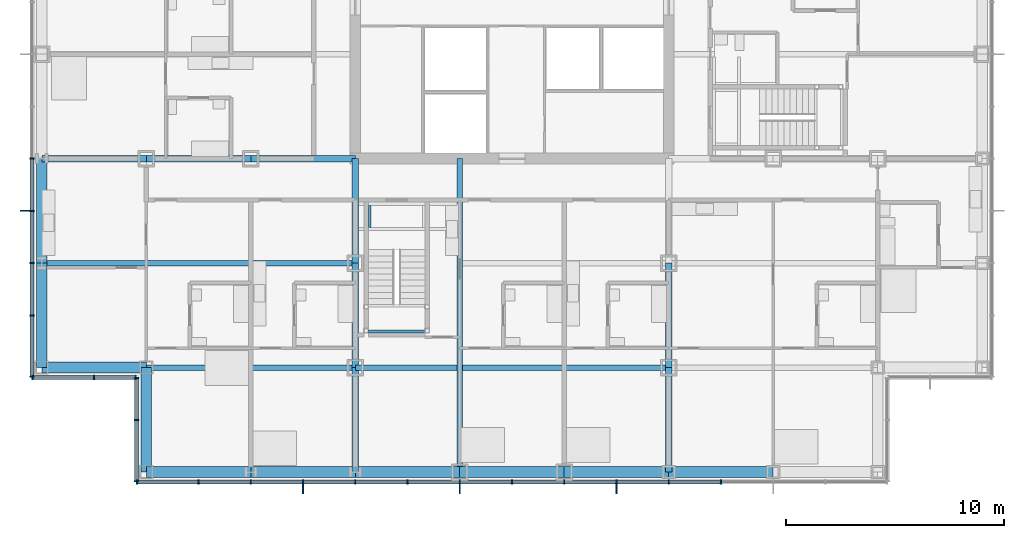
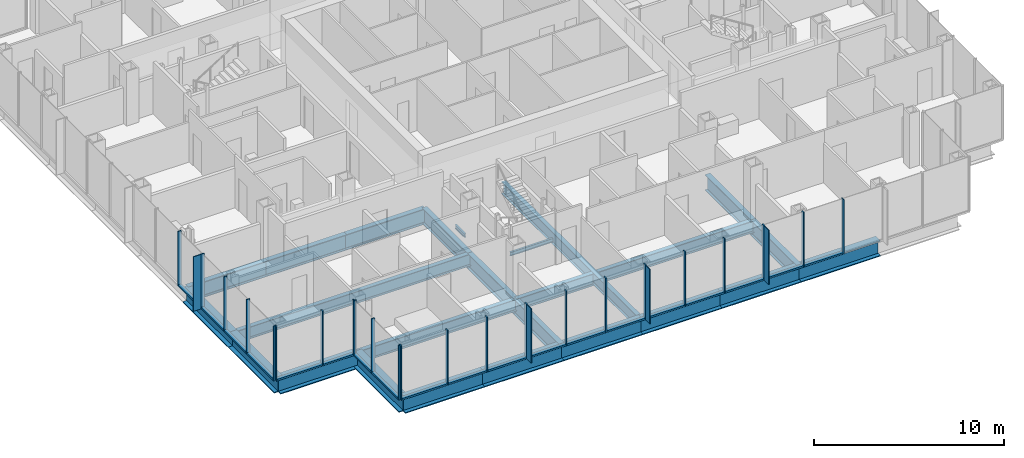
# One storey, part 6 of 21: 46 members, 25 beams, 4 elements without a shape of their own.
"""IFC4 building model written with IfcOpenShell, lengths in metres."""

import ifcopenshell
import ifcopenshell.guid

model = None  # the IFC model being written
_history = None  # IfcOwnerHistory: only IFC2X3 demands one
_inside = {}  # id of a spatial element -> (the spatial element, [elements in it])
_under = {}  # id of a project, library or spatial element -> (it, [spatial elements below it])
_declared = {}  # id of a project -> (the project, [libraries it declares])
_typed = {}  # id of a type object -> (the type object, [elements of that type])
_made_of = {}  # id of a material, layer set ... -> (it, [elements and type objects made of it])


def new_model(schema):
    """Start an empty IFC model of exactly this schema.

    Asked for "IFC4X3", IfcOpenShell would pick the latest addendum, in which some entities
    have other attributes; the version numbers below select the first issue.
    IFC2X3 requires an IfcOwnerHistory on every rooted entity: one is made here for all.
    """
    global model, _history
    if schema == "IFC4X3":
        model = ifcopenshell.file(schema_version=(4, 3, 0, 0))
    else:
        model = ifcopenshell.file(schema=schema)
    _inside.clear()
    _under.clear()
    _declared.clear()
    _typed.clear()
    _made_of.clear()
    _history = None
    if model.schema == "IFC2X3":
        org = make("IfcOrganization", Name="unknown")
        user = make(
            "IfcPersonAndOrganization",
            ThePerson=make("IfcPerson", FamilyName="unknown"),
            TheOrganization=org,
        )
        app = make(
            "IfcApplication",
            ApplicationDeveloper=org,
            Version="unknown",
            ApplicationFullName="unknown",
            ApplicationIdentifier="unknown",
        )
        _history = make(
            "IfcOwnerHistory",
            OwningUser=user,
            OwningApplication=app,
            ChangeAction="ADDED",
            CreationDate=0,
        )
    return model


def make(cls, **values):
    """One entity of the class cls with the attributes given. An attribute that is None is left unset."""
    return model.create_entity(
        cls, **{name: value for name, value in values.items() if value is not None}
    )


def rooted(cls, **values):
    """An entity with a GlobalId (a new one), such as an element, a storey or a relation."""
    return make(cls, GlobalId=ifcopenshell.guid.new(), OwnerHistory=_history, **values)


def si_unit(unit_type, name, prefix=None):
    """IfcSIUnit, for example si_unit("LENGTHUNIT", "METRE", prefix="MILLI")."""
    return make("IfcSIUnit", UnitType=unit_type, Prefix=prefix, Name=name)


def assignment(units):
    """IfcUnitAssignment: the units of a project."""
    return None if units is None else make("IfcUnitAssignment", Units=units)


def point(xyz):
    """IfcCartesianPoint."""
    return None if xyz is None else make("IfcCartesianPoint", Coordinates=xyz)


def direction(xyz):
    """IfcDirection."""
    return None if xyz is None else make("IfcDirection", DirectionRatios=xyz)


def frame(location, z_axis=None, x_axis=None):
    """IfcAxis2Placement3D, a coordinate frame: its origin and axes. An axis left out is left unset."""
    return make(
        "IfcAxis2Placement3D",
        Location=point(location),
        Axis=direction(z_axis),
        RefDirection=direction(x_axis),
    )


def frame_2d(location, x_axis=None):
    """IfcAxis2Placement2D, a coordinate frame in the plane: its origin and x axis."""
    return make(
        "IfcAxis2Placement2D", Location=point(location), RefDirection=direction(x_axis)
    )


def origin():
    """The frame at (0, 0, 0) with its axes left unset."""
    return frame((0.0, 0.0, 0.0))


def origin_2d():
    """The frame at (0, 0) in the plane with its x axis left unset."""
    return frame_2d((0.0, 0.0))


def place(relative_to, where):
    """IfcLocalPlacement: puts the frame where relative to a parent placement (None: the world)."""
    return make(
        "IfcLocalPlacement", PlacementRelTo=relative_to, RelativePlacement=where
    )


def context(
    kind, dimensions, precision=None, world=None, true_north=None, identifier=None
):
    """IfcGeometricRepresentationContext, for example the 3D "Model" context."""
    return make(
        "IfcGeometricRepresentationContext",
        ContextIdentifier=identifier,
        ContextType=kind,
        CoordinateSpaceDimension=dimensions,
        Precision=precision,
        WorldCoordinateSystem=world,
        TrueNorth=true_north,
    )


def subcontext(parent, identifier, kind, view, scale=None):
    """IfcGeometricRepresentationSubContext, for example "Body" below "Model"."""
    return make(
        "IfcGeometricRepresentationSubContext",
        ContextIdentifier=identifier,
        ContextType=kind,
        ParentContext=parent,
        TargetScale=scale,
        TargetView=view,
    )


def project(units=None, contexts=None):
    """IfcProject with its units and contexts."""
    return rooted(
        "IfcProject",
        Name="project",
        RepresentationContexts=contexts,
        UnitsInContext=assignment(units),
    )


def spatial(cls, under=None, at=None, **own):
    """A site, building, storey or space (cls), placed at a placement, below another one or the project."""
    s = rooted(cls, ObjectPlacement=at, **own)
    if under is not None:
        _under.setdefault(under.id(), (under, []))[1].append(s)
    return s


def profile(cls, at=None, kind="AREA", **sizes):
    """A parametric profile (cls). Its sizes go by their IFC names, for example OverallWidth=200.0."""
    return make(cls, ProfileType=kind, Position=at, **sizes)


def rectangle(**sizes):
    """IfcRectangleProfileDef."""
    return profile("IfcRectangleProfileDef", **sizes)


def i_section(**sizes):
    """IfcIShapeProfileDef."""
    return profile("IfcIShapeProfileDef", **sizes)


def extrude(swept, where, along, depth):
    """IfcExtrudedAreaSolid: the profile swept, set in the frame where, extruded along a direction by depth."""
    return make(
        "IfcExtrudedAreaSolid",
        SweptArea=swept,
        Position=where,
        ExtrudedDirection=direction(along),
        Depth=depth,
    )


def shape(context_of_items, identifier, shape_type, items):
    """IfcShapeRepresentation: the items that make up one representation, for example the "Body"."""
    return make(
        "IfcShapeRepresentation",
        ContextOfItems=context_of_items,
        RepresentationIdentifier=identifier,
        RepresentationType=shape_type,
        Items=items,
    )


def material(Name=None, Category=None):
    """IfcMaterial."""
    return make("IfcMaterial", Name=Name, Category=Category)


def material_profile(
    of_material, cross_section, Name=None, Category=None, Priority=None
):
    """IfcMaterialProfile: a cross section and its material."""
    return make(
        "IfcMaterialProfile",
        Name=Name,
        Material=of_material,
        Profile=cross_section,
        Priority=Priority,
        Category=Category,
    )


def profile_set(profiles, Name=None, composite=None):
    """IfcMaterialProfileSet."""
    return make(
        "IfcMaterialProfileSet",
        Name=Name,
        MaterialProfiles=profiles,
        CompositeProfile=composite,
    )


def made_of(thing, what):
    """Note that an element or type object is made of a material, layer set ...; save() writes the relation."""
    if what is not None:
        _made_of.setdefault(what.id(), (what, []))[1].append(thing)
    return thing


def type_object(cls, material=None, **own):
    """A type object (cls), such as IfcWallType, which elements share."""
    return made_of(rooted(cls, **own), material)


def element(
    cls,
    number,
    at=None,
    inside=None,
    cuts=None,
    type_object=None,
    material=None,
    context=None,
    identifier="Body",
    shape_type=None,
    held_by="IfcProductDefinitionShape",
    body=None,
    shapes=None,
    **own,
):
    """One element of the class cls, such as IfcWall. Its Tag is "e" and its number.

    at: its placement. inside: the storey or other place that contains it. cuts: it is an
    opening in that element (IfcRelVoidsElement). A single representation is given by context,
    identifier, shape_type and body (its items); several are given by shapes. held_by: the class
    of the entity that holds the representations. save() writes the other relations.
    """
    e = rooted(cls, Tag="e%d" % number, ObjectPlacement=at, **own)
    if body is not None:
        shapes = [shape(context, identifier, shape_type, body)]
    if shapes is not None:
        e.Representation = make(held_by, Representations=shapes)
    if inside is not None:
        _inside.setdefault(inside.id(), (inside, []))[1].append(e)
    if cuts is not None:
        rooted(
            "IfcRelVoidsElement", RelatingBuildingElement=cuts, RelatedOpeningElement=e
        )
    if type_object is not None:
        _typed.setdefault(type_object.id(), (type_object, []))[1].append(e)
    return made_of(e, material)


def aggregate(whole, parts):
    """IfcRelAggregates: a whole, such as a stair, and the parts it consists of."""
    return rooted("IfcRelAggregates", RelatingObject=whole, RelatedObjects=parts)


def save(model, path):
    """Write the relations noted so far, then the file.

    IfcRelAggregates (storeys below a building ...), IfcRelContainedInSpatialStructure (elements
    in a storey), IfcRelDefinesByType, IfcRelAssociatesMaterial and IfcRelDeclares: one each for
    every whole, place, type object, material and project.
    """
    for whole, parts in _under.values():
        aggregate(whole, parts)
    for where, things in _inside.values():
        rooted(
            "IfcRelContainedInSpatialStructure",
            RelatedElements=things,
            RelatingStructure=where,
        )
    for kind, things in _typed.values():
        rooted("IfcRelDefinesByType", RelatedObjects=things, RelatingType=kind)
    for what, things in _made_of.values():
        rooted("IfcRelAssociatesMaterial", RelatedObjects=things, RelatingMaterial=what)
    for by, libraries in _declared.values():
        rooted("IfcRelDeclares", RelatingContext=by, RelatedDefinitions=libraries)
    model.write(path)


model = new_model("IFC4")

# Units and contexts
model_context = context("Model", 3, precision=1e-05, world=origin(), true_north=direction((0.0, 1.0)))
body_context = subcontext(model_context, "Body", "Model", "MODEL_VIEW")
ifc_project = project(units=[si_unit("LENGTHUNIT", "METRE"), si_unit("AREAUNIT", "SQUARE_METRE"), si_unit("VOLUMEUNIT", "CUBIC_METRE"), si_unit("PLANEANGLEUNIT", "RADIAN"), si_unit("MASSUNIT", "GRAM", prefix="KILO")], contexts=[model_context])

# Site, building, storey
site_placement = place(None, origin())
site = spatial("IfcSite", under=ifc_project, at=site_placement, CompositionType="ELEMENT")
building_placement = place(site_placement, origin())
building = spatial("IfcBuilding", under=site, at=building_placement, Name="Kvirike Care Tower", CompositionType="ELEMENT")
storey_placement = place(building_placement, frame((0.0, 0.0, 30.5)))
storey = spatial("IfcBuildingStorey", under=building, at=storey_placement, Name="L07", CompositionType="ELEMENT", Elevation=30.5)

# Curtain wall, member
ifc_material_1 = material(Name="Anodised aluminium stick system", Category="aluminium")
curtain_wall_type = type_object("IfcCurtainWallType", Name="CW-A STICK CURTAIN WALL", PredefinedType="NOTDEFINED", material=ifc_material_1)
curtain_wall_1_placement = place(storey_placement, origin())
curtain_wall_1 = element("IfcCurtainWall", 1, at=curtain_wall_1_placement, inside=storey, type_object=curtain_wall_type, Name="Curtain wall L07 face 1", PredefinedType="NOTDEFINED")
ifc_material_2 = material(Name="Bronze anodised aluminium fin", Category="aluminium")
ifc_material_profile_1 = material_profile(ifc_material_2, rectangle(XDim=0.050048828125, YDim=0.449951171875, at=origin_2d()), Name="BRONZE FIN 450")
ifc_profile_set_1 = profile_set([ifc_material_profile_1], Name="Bronze anodised aluminium fin")
member_type_1 = type_object("IfcMemberType", Name="BRONZE FIN 450", PredefinedType="USERDEFINED", material=ifc_profile_set_1)
member_1_placement = place(storey_placement, frame((-0.77490234375, 26.39990234375, 0.0), z_axis=(0.0, 0.0, 1.0), x_axis=(0.0, -1.0, 0.0)))
member_1 = element("IfcMember", 2, at=member_1_placement, type_object=member_type_1, Name="Bronze fin L07 face 1.12", ObjectType="FIN", PredefinedType="USERDEFINED", context=body_context, shape_type="SweptSolid", body=[
    extrude(rectangle(XDim=0.050048828125, YDim=0.449951171875, at=origin_2d()), origin(), (0.0, 0.0, 1.0), 3.5),
])

# Curtain wall, members
curtain_wall_2_placement = place(storey_placement, origin())
curtain_wall_2 = element("IfcCurtainWall", 3, at=curtain_wall_2_placement, inside=storey, type_object=curtain_wall_type, Name="Curtain wall L07 face 4", PredefinedType="NOTDEFINED")
member_2_placement = place(storey_placement, frame((12.0, 13.625, 0.0), z_axis=(0.0, 0.0, 1.0), x_axis=(1.0, 0.0, 0.0)))
member_2 = element("IfcMember", 4, at=member_2_placement, type_object=member_type_1, Name="Bronze fin L07 face 4.4", ObjectType="FIN", PredefinedType="USERDEFINED", context=body_context, shape_type="SweptSolid", body=[
    extrude(rectangle(XDim=0.050048828125, YDim=0.449951171875, at=origin_2d()), origin(), (0.0, 0.0, 1.0), 3.5),
])
member_3_placement = place(storey_placement, frame((19.199951171875, 13.625, 0.0), z_axis=(0.0, 0.0, 1.0), x_axis=(1.0, 0.0, 0.0)))
member_3 = element("IfcMember", 5, at=member_3_placement, type_object=member_type_1, Name="Bronze fin L07 face 4.7", ObjectType="FIN", PredefinedType="USERDEFINED", context=body_context, shape_type="SweptSolid", body=[
    extrude(rectangle(XDim=0.050048828125, YDim=0.449951171875, at=origin_2d()), origin(), (0.0, 0.0, 1.0), 3.5),
])
member_4_placement = place(storey_placement, frame((26.39990234375, 13.625, 0.0), z_axis=(0.0, 0.0, 1.0), x_axis=(1.0, 0.0, 0.0)))
member_4 = element("IfcMember", 6, at=member_4_placement, type_object=member_type_1, Name="Bronze fin L07 face 4.10", ObjectType="FIN", PredefinedType="USERDEFINED", context=body_context, shape_type="SweptSolid", body=[
    extrude(rectangle(XDim=0.050048828125, YDim=0.449951171875, at=origin_2d()), origin(), (0.0, 0.0, 1.0), 3.5),
])

# Member
ifc_material_3 = material(Name="Bronze anodised aluminium mullion", Category="aluminium")
ifc_material_profile_2 = material_profile(ifc_material_3, rectangle(XDim=0.06494140625, YDim=0.199951171875, at=origin_2d()), Name="CW-A MULLION 65x200")
ifc_profile_set_2 = profile_set([ifc_material_profile_2], Name="Bronze anodised aluminium mullion")
member_type_2 = type_object("IfcMemberType", Name="CW-A MULLION 65x200", PredefinedType="MULLION", material=ifc_profile_set_2)
member_5_placement = place(storey_placement, frame((-0.449951171875, 28.800048828125, 0.0), z_axis=(0.0, 0.0, 1.0), x_axis=(0.0, -1.0, 0.0)))
member_5 = element("IfcMember", 7, at=member_5_placement, type_object=member_type_2, Name="CW-A mullion L07 face 1.11", PredefinedType="MULLION", context=body_context, shape_type="SweptSolid", body=[
    extrude(rectangle(XDim=0.06494140625, YDim=0.199951171875, at=origin_2d()), origin(), (0.0, 0.0, 1.0), 3.5),
])

member_6_placement = place(storey_placement, frame((-0.449951171875, 26.39990234375, 0.0), z_axis=(0.0, 0.0, 1.0), x_axis=(0.0, -1.0, 0.0)))
member_6 = element("IfcMember", 8, at=member_6_placement, type_object=member_type_2, Name="CW-A mullion L07 face 1.12", PredefinedType="MULLION", context=body_context, shape_type="SweptSolid", body=[
    extrude(rectangle(XDim=0.06494140625, YDim=0.199951171875, at=origin_2d()), origin(), (0.0, 0.0, 1.0), 3.5),
])

member_7_placement = place(storey_placement, frame((-0.449951171875, 24.0, 0.0), z_axis=(0.0, 0.0, 1.0), x_axis=(0.0, -1.0, 0.0)))
member_7 = element("IfcMember", 9, at=member_7_placement, type_object=member_type_2, Name="CW-A mullion L07 face 1.13", PredefinedType="MULLION", context=body_context, shape_type="SweptSolid", body=[
    extrude(rectangle(XDim=0.06494140625, YDim=0.199951171875, at=origin_2d()), origin(), (0.0, 0.0, 1.0), 3.5),
])

member_8_placement = place(storey_placement, frame((-0.449951171875, 21.60009765625, 0.0), z_axis=(0.0, 0.0, 1.0), x_axis=(0.0, -1.0, 0.0)))
member_8 = element("IfcMember", 10, at=member_8_placement, type_object=member_type_2, Name="CW-A mullion L07 face 1.14", PredefinedType="MULLION", context=body_context, shape_type="SweptSolid", body=[
    extrude(rectangle(XDim=0.06494140625, YDim=0.199951171875, at=origin_2d()), origin(), (0.0, 0.0, 1.0), 3.5),
])

member_9_placement = place(storey_placement, frame((-0.449951171875, 18.782470703125, 0.0), z_axis=(0.0, 0.0, 1.0), x_axis=(0.0, -1.0, 0.0)))
member_9 = element("IfcMember", 11, at=member_9_placement, type_object=member_type_2, Name="CW-A mullion L07 face 1.15", PredefinedType="MULLION", context=body_context, shape_type="SweptSolid", body=[
    extrude(rectangle(XDim=0.06494140625, YDim=0.199951171875, at=origin_2d()), origin(), (0.0, 0.0, 1.0), 3.5),
])

# Curtain wall, members
curtain_wall_3_placement = place(storey_placement, origin())
curtain_wall_3 = element("IfcCurtainWall", 12, at=curtain_wall_3_placement, inside=storey, type_object=curtain_wall_type, Name="Curtain wall L07 face 2", PredefinedType="NOTDEFINED")
member_10_placement = place(storey_placement, frame((-0.41748046875, 18.75, 0.0), z_axis=(0.0, 0.0, 1.0), x_axis=(1.0, 0.0, 0.0)))
member_10 = element("IfcMember", 13, at=member_10_placement, type_object=member_type_2, Name="CW-A mullion L07 face 2.1", PredefinedType="MULLION", context=body_context, shape_type="SweptSolid", body=[
    extrude(rectangle(XDim=0.06494140625, YDim=0.199951171875, at=origin_2d()), origin(), (0.0, 0.0, 1.0), 3.5),
])
member_11_placement = place(storey_placement, frame((2.39990234375, 18.75, 0.0), z_axis=(0.0, 0.0, 1.0), x_axis=(1.0, 0.0, 0.0)))
member_11 = element("IfcMember", 14, at=member_11_placement, type_object=member_type_2, Name="CW-A mullion L07 face 2.2", PredefinedType="MULLION", context=body_context, shape_type="SweptSolid", body=[
    extrude(rectangle(XDim=0.06494140625, YDim=0.199951171875, at=origin_2d()), origin(), (0.0, 0.0, 1.0), 3.5),
])
member_12_placement = place(storey_placement, frame((4.3173828125, 18.75, 0.0), z_axis=(0.0, 0.0, 1.0), x_axis=(1.0, 0.0, 0.0)))
member_12 = element("IfcMember", 15, at=member_12_placement, type_object=member_type_2, Name="CW-A mullion L07 face 2.3", PredefinedType="MULLION", context=body_context, shape_type="SweptSolid", body=[
    extrude(rectangle(XDim=0.06494140625, YDim=0.199951171875, at=origin_2d()), origin(), (0.0, 0.0, 1.0), 3.5),
])

curtain_wall_4_placement = place(storey_placement, origin())
curtain_wall_4 = element("IfcCurtainWall", 16, at=curtain_wall_4_placement, inside=storey, type_object=curtain_wall_type, Name="Curtain wall L07 face 3", PredefinedType="NOTDEFINED")
member_13_placement = place(storey_placement, frame((4.35009765625, 18.717529296875, 0.0), z_axis=(0.0, 0.0, 1.0), x_axis=(0.0, -1.0, 0.0)))
member_13 = element("IfcMember", 17, at=member_13_placement, type_object=member_type_2, Name="CW-A mullion L07 face 3.1", PredefinedType="MULLION", context=body_context, shape_type="SweptSolid", body=[
    extrude(rectangle(XDim=0.06494140625, YDim=0.199951171875, at=origin_2d()), origin(), (0.0, 0.0, 1.0), 3.5),
])
member_14_placement = place(storey_placement, frame((4.35009765625, 16.800048828125, 0.0), z_axis=(0.0, 0.0, 1.0), x_axis=(0.0, -1.0, 0.0)))
member_14 = element("IfcMember", 18, at=member_14_placement, type_object=member_type_2, Name="CW-A mullion L07 face 3.2", PredefinedType="MULLION", context=body_context, shape_type="SweptSolid", body=[
    extrude(rectangle(XDim=0.06494140625, YDim=0.199951171875, at=origin_2d()), origin(), (0.0, 0.0, 1.0), 3.5),
])
member_15_placement = place(storey_placement, frame((4.35009765625, 13.982421875, 0.0), z_axis=(0.0, 0.0, 1.0), x_axis=(0.0, -1.0, 0.0)))
member_15 = element("IfcMember", 19, at=member_15_placement, type_object=member_type_2, Name="CW-A mullion L07 face 3.3", PredefinedType="MULLION", context=body_context, shape_type="SweptSolid", body=[
    extrude(rectangle(XDim=0.06494140625, YDim=0.199951171875, at=origin_2d()), origin(), (0.0, 0.0, 1.0), 3.5),
])

# Member
member_16_placement = place(storey_placement, frame((4.382568359375, 13.949951171875, 0.0), z_axis=(0.0, 0.0, 1.0), x_axis=(1.0, 0.0, 0.0)))
member_16 = element("IfcMember", 20, at=member_16_placement, type_object=member_type_2, Name="CW-A mullion L07 face 4.1", PredefinedType="MULLION", context=body_context, shape_type="SweptSolid", body=[
    extrude(rectangle(XDim=0.06494140625, YDim=0.199951171875, at=origin_2d()), origin(), (0.0, 0.0, 1.0), 3.5),
])

member_17_placement = place(storey_placement, frame((7.199951171875, 13.949951171875, 0.0), z_axis=(0.0, 0.0, 1.0), x_axis=(1.0, 0.0, 0.0)))
member_17 = element("IfcMember", 21, at=member_17_placement, type_object=member_type_2, Name="CW-A mullion L07 face 4.2", PredefinedType="MULLION", context=body_context, shape_type="SweptSolid", body=[
    extrude(rectangle(XDim=0.06494140625, YDim=0.199951171875, at=origin_2d()), origin(), (0.0, 0.0, 1.0), 3.5),
])

member_18_placement = place(storey_placement, frame((9.60009765625, 13.949951171875, 0.0), z_axis=(0.0, 0.0, 1.0), x_axis=(1.0, 0.0, 0.0)))
member_18 = element("IfcMember", 22, at=member_18_placement, type_object=member_type_2, Name="CW-A mullion L07 face 4.3", PredefinedType="MULLION", context=body_context, shape_type="SweptSolid", body=[
    extrude(rectangle(XDim=0.06494140625, YDim=0.199951171875, at=origin_2d()), origin(), (0.0, 0.0, 1.0), 3.5),
])

member_19_placement = place(storey_placement, frame((12.0, 13.949951171875, 0.0), z_axis=(0.0, 0.0, 1.0), x_axis=(1.0, 0.0, 0.0)))
member_19 = element("IfcMember", 23, at=member_19_placement, type_object=member_type_2, Name="CW-A mullion L07 face 4.4", PredefinedType="MULLION", context=body_context, shape_type="SweptSolid", body=[
    extrude(rectangle(XDim=0.06494140625, YDim=0.199951171875, at=origin_2d()), origin(), (0.0, 0.0, 1.0), 3.5),
])

member_20_placement = place(storey_placement, frame((14.39990234375, 13.949951171875, 0.0), z_axis=(0.0, 0.0, 1.0), x_axis=(1.0, 0.0, 0.0)))
member_20 = element("IfcMember", 24, at=member_20_placement, type_object=member_type_2, Name="CW-A mullion L07 face 4.5", PredefinedType="MULLION", context=body_context, shape_type="SweptSolid", body=[
    extrude(rectangle(XDim=0.06494140625, YDim=0.199951171875, at=origin_2d()), origin(), (0.0, 0.0, 1.0), 3.5),
])

member_21_placement = place(storey_placement, frame((16.800048828125, 13.949951171875, 0.0), z_axis=(0.0, 0.0, 1.0), x_axis=(1.0, 0.0, 0.0)))
member_21 = element("IfcMember", 25, at=member_21_placement, type_object=member_type_2, Name="CW-A mullion L07 face 4.6", PredefinedType="MULLION", context=body_context, shape_type="SweptSolid", body=[
    extrude(rectangle(XDim=0.06494140625, YDim=0.199951171875, at=origin_2d()), origin(), (0.0, 0.0, 1.0), 3.5),
])

member_22_placement = place(storey_placement, frame((19.199951171875, 13.949951171875, 0.0), z_axis=(0.0, 0.0, 1.0), x_axis=(1.0, 0.0, 0.0)))
member_22 = element("IfcMember", 26, at=member_22_placement, type_object=member_type_2, Name="CW-A mullion L07 face 4.7", PredefinedType="MULLION", context=body_context, shape_type="SweptSolid", body=[
    extrude(rectangle(XDim=0.06494140625, YDim=0.199951171875, at=origin_2d()), origin(), (0.0, 0.0, 1.0), 3.5),
])

member_23_placement = place(storey_placement, frame((21.60009765625, 13.949951171875, 0.0), z_axis=(0.0, 0.0, 1.0), x_axis=(1.0, 0.0, 0.0)))
member_23 = element("IfcMember", 27, at=member_23_placement, type_object=member_type_2, Name="CW-A mullion L07 face 4.8", PredefinedType="MULLION", context=body_context, shape_type="SweptSolid", body=[
    extrude(rectangle(XDim=0.06494140625, YDim=0.199951171875, at=origin_2d()), origin(), (0.0, 0.0, 1.0), 3.5),
])

member_24_placement = place(storey_placement, frame((24.0, 13.949951171875, 0.0), z_axis=(0.0, 0.0, 1.0), x_axis=(1.0, 0.0, 0.0)))
member_24 = element("IfcMember", 28, at=member_24_placement, type_object=member_type_2, Name="CW-A mullion L07 face 4.9", PredefinedType="MULLION", context=body_context, shape_type="SweptSolid", body=[
    extrude(rectangle(XDim=0.06494140625, YDim=0.199951171875, at=origin_2d()), origin(), (0.0, 0.0, 1.0), 3.5),
])

member_25_placement = place(storey_placement, frame((26.39990234375, 13.949951171875, 0.0), z_axis=(0.0, 0.0, 1.0), x_axis=(1.0, 0.0, 0.0)))
member_25 = element("IfcMember", 29, at=member_25_placement, type_object=member_type_2, Name="CW-A mullion L07 face 4.10", PredefinedType="MULLION", context=body_context, shape_type="SweptSolid", body=[
    extrude(rectangle(XDim=0.06494140625, YDim=0.199951171875, at=origin_2d()), origin(), (0.0, 0.0, 1.0), 3.5),
])

member_26_placement = place(storey_placement, frame((28.800048828125, 13.949951171875, 0.0), z_axis=(0.0, 0.0, 1.0), x_axis=(1.0, 0.0, 0.0)))
member_26 = element("IfcMember", 30, at=member_26_placement, type_object=member_type_2, Name="CW-A mullion L07 face 4.11", PredefinedType="MULLION", context=body_context, shape_type="SweptSolid", body=[
    extrude(rectangle(XDim=0.06494140625, YDim=0.199951171875, at=origin_2d()), origin(), (0.0, 0.0, 1.0), 3.5),
])

member_27_placement = place(storey_placement, frame((31.199951171875, 13.949951171875, 0.0), z_axis=(0.0, 0.0, 1.0), x_axis=(1.0, 0.0, 0.0)))
member_27 = element("IfcMember", 31, at=member_27_placement, type_object=member_type_2, Name="CW-A mullion L07 face 4.12", PredefinedType="MULLION", context=body_context, shape_type="SweptSolid", body=[
    extrude(rectangle(XDim=0.06494140625, YDim=0.199951171875, at=origin_2d()), origin(), (0.0, 0.0, 1.0), 3.5),
])

ifc_material_4 = material(Name="Bronze anodised aluminium transom", Category="aluminium")
ifc_material_profile_3 = material_profile(ifc_material_4, rectangle(XDim=0.199951171875, YDim=0.10009765625, at=origin_2d()), Name="CW-A TRANSOM 200x100")
ifc_profile_set_3 = profile_set([ifc_material_profile_3], Name="Bronze anodised aluminium transom")
member_type_3 = type_object("IfcMemberType", Name="CW-A TRANSOM 200x100", PredefinedType="USERDEFINED", material=ifc_profile_set_3)
member_28_placement = place(storey_placement, frame((-0.449951171875, 28.767578125, 0.050048828125), z_axis=(0.0, -1.0, 0.0), x_axis=(1.0, 0.0, 0.0)))
member_28 = element("IfcMember", 32, at=member_28_placement, type_object=member_type_3, Name="CW-A sill transom L07 face 1.11", ObjectType="TRANSOM", PredefinedType="USERDEFINED", context=body_context, shape_type="SweptSolid", body=[
    extrude(rectangle(XDim=0.199951171875, YDim=0.10009765625, at=origin_2d()), origin(), (0.0, 0.0, 1.0), 2.3349609375),
])

member_29_placement = place(storey_placement, frame((-0.449951171875, 26.367431640625, 0.050048828125), z_axis=(0.0, -1.0, 0.0), x_axis=(1.0, 0.0, 0.0)))
member_29 = element("IfcMember", 33, at=member_29_placement, type_object=member_type_3, Name="CW-A sill transom L07 face 1.12", ObjectType="TRANSOM", PredefinedType="USERDEFINED", context=body_context, shape_type="SweptSolid", body=[
    extrude(rectangle(XDim=0.199951171875, YDim=0.10009765625, at=origin_2d()), origin(), (0.0, 0.0, 1.0), 2.3349609375),
])

member_30_placement = place(storey_placement, frame((-0.449951171875, 23.967529296875, 0.050048828125), z_axis=(0.0, -1.0, 0.0), x_axis=(1.0, 0.0, 0.0)))
member_30 = element("IfcMember", 34, at=member_30_placement, type_object=member_type_3, Name="CW-A sill transom L07 face 1.13", ObjectType="TRANSOM", PredefinedType="USERDEFINED", context=body_context, shape_type="SweptSolid", body=[
    extrude(rectangle(XDim=0.199951171875, YDim=0.10009765625, at=origin_2d()), origin(), (0.0, 0.0, 1.0), 2.3349609375),
])

member_31_placement = place(storey_placement, frame((-0.449951171875, 21.5673828125, 0.050048828125), z_axis=(0.0, -1.0, 0.0), x_axis=(1.0, 0.0, 0.0)))
member_31 = element("IfcMember", 35, at=member_31_placement, type_object=member_type_3, Name="CW-A sill transom L07 face 1.14", ObjectType="TRANSOM", PredefinedType="USERDEFINED", context=body_context, shape_type="SweptSolid", body=[
    extrude(rectangle(XDim=0.199951171875, YDim=0.10009765625, at=origin_2d()), origin(), (0.0, 0.0, 1.0), 2.75244140625),
])

aggregate(curtain_wall_1, [member_5, member_6, member_1, member_7, member_8, member_9, member_28, member_29, member_30, member_31])

member_32_placement = place(storey_placement, frame((-0.385009765625, 18.75, 0.050048828125), z_axis=(1.0, 0.0, 0.0), x_axis=(0.0, 1.0, 0.0)))
member_32 = element("IfcMember", 36, at=member_32_placement, type_object=member_type_3, Name="CW-A sill transom L07 face 2.1", ObjectType="TRANSOM", PredefinedType="USERDEFINED", context=body_context, shape_type="SweptSolid", body=[
    extrude(rectangle(XDim=0.199951171875, YDim=0.10009765625, at=origin_2d()), origin(), (0.0, 0.0, 1.0), 2.75244140625),
])

member_33_placement = place(storey_placement, frame((2.4326171875, 18.75, 0.050048828125), z_axis=(1.0, 0.0, 0.0), x_axis=(0.0, 1.0, 0.0)))
member_33 = element("IfcMember", 37, at=member_33_placement, type_object=member_type_3, Name="CW-A sill transom L07 face 2.2", ObjectType="TRANSOM", PredefinedType="USERDEFINED", context=body_context, shape_type="SweptSolid", body=[
    extrude(rectangle(XDim=0.199951171875, YDim=0.10009765625, at=origin_2d()), origin(), (0.0, 0.0, 1.0), 1.852294921875),
])

aggregate(curtain_wall_3, [member_10, member_11, member_12, member_32, member_33])

member_34_placement = place(storey_placement, frame((4.35009765625, 18.68505859375, 0.050048828125), z_axis=(0.0, -1.0, 0.0), x_axis=(1.0, 0.0, 0.0)))
member_34 = element("IfcMember", 38, at=member_34_placement, type_object=member_type_3, Name="CW-A sill transom L07 face 3.1", ObjectType="TRANSOM", PredefinedType="USERDEFINED", context=body_context, shape_type="SweptSolid", body=[
    extrude(rectangle(XDim=0.199951171875, YDim=0.10009765625, at=origin_2d()), origin(), (0.0, 0.0, 1.0), 1.8525390625),
])

member_35_placement = place(storey_placement, frame((4.35009765625, 16.767578125, 0.050048828125), z_axis=(0.0, -1.0, 0.0), x_axis=(1.0, 0.0, 0.0)))
member_35 = element("IfcMember", 39, at=member_35_placement, type_object=member_type_3, Name="CW-A sill transom L07 face 3.2", ObjectType="TRANSOM", PredefinedType="USERDEFINED", context=body_context, shape_type="SweptSolid", body=[
    extrude(rectangle(XDim=0.199951171875, YDim=0.10009765625, at=origin_2d()), origin(), (0.0, 0.0, 1.0), 2.752685546875),
])

aggregate(curtain_wall_4, [member_13, member_14, member_15, member_34, member_35])

member_36_placement = place(storey_placement, frame((4.4150390625, 13.949951171875, 0.050048828125), z_axis=(1.0, 0.0, 0.0), x_axis=(0.0, 1.0, 0.0)))
member_36 = element("IfcMember", 40, at=member_36_placement, type_object=member_type_3, Name="CW-A sill transom L07 face 4.1", ObjectType="TRANSOM", PredefinedType="USERDEFINED", context=body_context, shape_type="SweptSolid", body=[
    extrude(rectangle(XDim=0.199951171875, YDim=0.10009765625, at=origin_2d()), origin(), (0.0, 0.0, 1.0), 2.75244140625),
])

member_37_placement = place(storey_placement, frame((7.232421875, 13.949951171875, 0.050048828125), z_axis=(1.0, 0.0, 0.0), x_axis=(0.0, 1.0, 0.0)))
member_37 = element("IfcMember", 41, at=member_37_placement, type_object=member_type_3, Name="CW-A sill transom L07 face 4.2", ObjectType="TRANSOM", PredefinedType="USERDEFINED", context=body_context, shape_type="SweptSolid", body=[
    extrude(rectangle(XDim=0.199951171875, YDim=0.10009765625, at=origin_2d()), origin(), (0.0, 0.0, 1.0), 2.3349609375),
])

member_38_placement = place(storey_placement, frame((9.632568359375, 13.949951171875, 0.050048828125), z_axis=(1.0, 0.0, 0.0), x_axis=(0.0, 1.0, 0.0)))
member_38 = element("IfcMember", 42, at=member_38_placement, type_object=member_type_3, Name="CW-A sill transom L07 face 4.3", ObjectType="TRANSOM", PredefinedType="USERDEFINED", context=body_context, shape_type="SweptSolid", body=[
    extrude(rectangle(XDim=0.199951171875, YDim=0.10009765625, at=origin_2d()), origin(), (0.0, 0.0, 1.0), 2.3349609375),
])

member_39_placement = place(storey_placement, frame((12.032470703125, 13.949951171875, 0.050048828125), z_axis=(1.0, 0.0, 0.0), x_axis=(0.0, 1.0, 0.0)))
member_39 = element("IfcMember", 43, at=member_39_placement, type_object=member_type_3, Name="CW-A sill transom L07 face 4.4", ObjectType="TRANSOM", PredefinedType="USERDEFINED", context=body_context, shape_type="SweptSolid", body=[
    extrude(rectangle(XDim=0.199951171875, YDim=0.10009765625, at=origin_2d()), origin(), (0.0, 0.0, 1.0), 2.3349609375),
])

member_40_placement = place(storey_placement, frame((14.4326171875, 13.949951171875, 0.050048828125), z_axis=(1.0, 0.0, 0.0), x_axis=(0.0, 1.0, 0.0)))
member_40 = element("IfcMember", 44, at=member_40_placement, type_object=member_type_3, Name="CW-A sill transom L07 face 4.5", ObjectType="TRANSOM", PredefinedType="USERDEFINED", context=body_context, shape_type="SweptSolid", body=[
    extrude(rectangle(XDim=0.199951171875, YDim=0.10009765625, at=origin_2d()), origin(), (0.0, 0.0, 1.0), 2.3349609375),
])

member_41_placement = place(storey_placement, frame((16.83251953125, 13.949951171875, 0.050048828125), z_axis=(1.0, 0.0, 0.0), x_axis=(0.0, 1.0, 0.0)))
member_41 = element("IfcMember", 45, at=member_41_placement, type_object=member_type_3, Name="CW-A sill transom L07 face 4.6", ObjectType="TRANSOM", PredefinedType="USERDEFINED", context=body_context, shape_type="SweptSolid", body=[
    extrude(rectangle(XDim=0.199951171875, YDim=0.10009765625, at=origin_2d()), origin(), (0.0, 0.0, 1.0), 2.3349609375),
])

member_42_placement = place(storey_placement, frame((19.232421875, 13.949951171875, 0.050048828125), z_axis=(1.0, 0.0, 0.0), x_axis=(0.0, 1.0, 0.0)))
member_42 = element("IfcMember", 46, at=member_42_placement, type_object=member_type_3, Name="CW-A sill transom L07 face 4.7", ObjectType="TRANSOM", PredefinedType="USERDEFINED", context=body_context, shape_type="SweptSolid", body=[
    extrude(rectangle(XDim=0.199951171875, YDim=0.10009765625, at=origin_2d()), origin(), (0.0, 0.0, 1.0), 2.3349609375),
])

member_43_placement = place(storey_placement, frame((21.632568359375, 13.949951171875, 0.050048828125), z_axis=(1.0, 0.0, 0.0), x_axis=(0.0, 1.0, 0.0)))
member_43 = element("IfcMember", 47, at=member_43_placement, type_object=member_type_3, Name="CW-A sill transom L07 face 4.8", ObjectType="TRANSOM", PredefinedType="USERDEFINED", context=body_context, shape_type="SweptSolid", body=[
    extrude(rectangle(XDim=0.199951171875, YDim=0.10009765625, at=origin_2d()), origin(), (0.0, 0.0, 1.0), 2.3349609375),
])

member_44_placement = place(storey_placement, frame((24.032470703125, 13.949951171875, 0.050048828125), z_axis=(1.0, 0.0, 0.0), x_axis=(0.0, 1.0, 0.0)))
member_44 = element("IfcMember", 48, at=member_44_placement, type_object=member_type_3, Name="CW-A sill transom L07 face 4.9", ObjectType="TRANSOM", PredefinedType="USERDEFINED", context=body_context, shape_type="SweptSolid", body=[
    extrude(rectangle(XDim=0.199951171875, YDim=0.10009765625, at=origin_2d()), origin(), (0.0, 0.0, 1.0), 2.3349609375),
])

member_45_placement = place(storey_placement, frame((26.4326171875, 13.949951171875, 0.050048828125), z_axis=(1.0, 0.0, 0.0), x_axis=(0.0, 1.0, 0.0)))
member_45 = element("IfcMember", 49, at=member_45_placement, type_object=member_type_3, Name="CW-A sill transom L07 face 4.10", ObjectType="TRANSOM", PredefinedType="USERDEFINED", context=body_context, shape_type="SweptSolid", body=[
    extrude(rectangle(XDim=0.199951171875, YDim=0.10009765625, at=origin_2d()), origin(), (0.0, 0.0, 1.0), 2.3349609375),
])

member_46_placement = place(storey_placement, frame((28.83251953125, 13.949951171875, 0.050048828125), z_axis=(1.0, 0.0, 0.0), x_axis=(0.0, 1.0, 0.0)))
member_46 = element("IfcMember", 50, at=member_46_placement, type_object=member_type_3, Name="CW-A sill transom L07 face 4.11", ObjectType="TRANSOM", PredefinedType="USERDEFINED", context=body_context, shape_type="SweptSolid", body=[
    extrude(rectangle(XDim=0.199951171875, YDim=0.10009765625, at=origin_2d()), origin(), (0.0, 0.0, 1.0), 2.3349609375),
])

aggregate(curtain_wall_2, [member_16, member_17, member_18, member_19, member_2, member_20, member_21, member_22, member_3, member_23, member_24, member_25, member_4, member_26, member_27, member_36, member_37, member_38, member_39, member_40, member_41, member_42, member_43, member_44, member_45, member_46])

# Beams
ifc_material_5 = material(Name="Steel S355", Category="steel")
ifc_material_profile_4 = material_profile(ifc_material_5, i_section(OverallWidth=0.26806640625, OverallDepth=0.77001953125, WebThickness=0.015625, FlangeThickness=0.025390625, FilletRadius=0.01708984375, at=origin_2d()), Name="IPE 750x196")
ifc_profile_set_4 = profile_set([ifc_material_profile_4], Name="Steel S355")
beam_type_1 = type_object("IfcBeamType", Name="FLOOR BEAM IPE 750x196", PredefinedType="BEAM", material=ifc_profile_set_4)
beam_1_placement = place(storey_placement, frame((4.800048828125, 19.199951171875, -0.554931640625), z_axis=(1.0, 0.0, 0.0), x_axis=(0.0, 1.0, 0.0)))
element("IfcBeam", 51, at=beam_1_placement, inside=storey, type_object=beam_type_1, Name="Floor Beam E4-E6 L07", PredefinedType="BEAM", context=body_context, shape_type="SweptSolid", body=[
    extrude(i_section(OverallWidth=0.26806640625, OverallDepth=0.77001953125, WebThickness=0.015625, FlangeThickness=0.025390625, FilletRadius=0.01708984375, at=origin_2d()), origin(), (0.0, 0.0, 1.0), 9.599853515625),
])
beam_2_placement = place(storey_placement, frame((14.39990234375, 19.199951171875, -0.554931640625), z_axis=(1.0, 0.0, 0.0), x_axis=(0.0, 1.0, 0.0)))
element("IfcBeam", 52, at=beam_2_placement, inside=storey, type_object=beam_type_1, Name="Floor Beam E6-E7 L07", PredefinedType="BEAM", context=body_context, shape_type="SweptSolid", body=[
    extrude(i_section(OverallWidth=0.26806640625, OverallDepth=0.77001953125, WebThickness=0.015625, FlangeThickness=0.025390625, FilletRadius=0.01708984375, at=origin_2d()), origin(), (0.0, 0.0, 1.0), 4.666015625),
])
beam_3_placement = place(storey_placement, frame((19.333984375, 19.199951171875, -0.554931640625), z_axis=(1.0, 0.0, 0.0), x_axis=(0.0, 1.0, 0.0)))
element("IfcBeam", 53, at=beam_3_placement, inside=storey, type_object=beam_type_1, Name="Floor Beam E7-E9 L07", PredefinedType="BEAM", context=body_context, shape_type="SweptSolid", body=[
    extrude(i_section(OverallWidth=0.26806640625, OverallDepth=0.77001953125, WebThickness=0.015625, FlangeThickness=0.025390625, FilletRadius=0.01708984375, at=origin_2d()), origin(), (0.0, 0.0, 1.0), 9.466064453125),
])
beam_4_placement = place(storey_placement, frame((0.0, 24.0, -0.554931640625), z_axis=(1.0, 0.0, 0.0), x_axis=(0.0, 1.0, 0.0)))
element("IfcBeam", 54, at=beam_4_placement, inside=storey, type_object=beam_type_1, Name="Floor Beam F3-F6 L07", PredefinedType="BEAM", context=body_context, shape_type="SweptSolid", body=[
    extrude(i_section(OverallWidth=0.26806640625, OverallDepth=0.77001953125, WebThickness=0.015625, FlangeThickness=0.025390625, FilletRadius=0.01708984375, at=origin_2d()), origin(), (0.0, 0.0, 1.0), 14.39990234375),
])
beam_5_placement = place(storey_placement, frame((19.199951171875, 14.39990234375, -0.554931640625), z_axis=(0.0, 1.0, 0.0), x_axis=(-1.0, 0.0, 0.0)))
element("IfcBeam", 55, at=beam_5_placement, inside=storey, type_object=beam_type_1, Name="Floor Beam D7-G7 L07", PredefinedType="BEAM", context=body_context, shape_type="SweptSolid", body=[
    extrude(i_section(OverallWidth=0.26806640625, OverallDepth=0.77001953125, WebThickness=0.015625, FlangeThickness=0.025390625, FilletRadius=0.01708984375, at=origin_2d()), origin(), (0.0, 0.0, 1.0), 14.400146484375),
])
ifc_material_6 = material(Name="Steel S355", Category="steel")
ifc_material_profile_5 = material_profile(ifc_material_6, i_section(OverallWidth=0.300048828125, OverallDepth=1.0, WebThickness=0.01904296875, FlangeThickness=0.035888671875, FilletRadius=0.030029296875, at=origin_2d()), Name="HE 1000 B")
ifc_profile_set_5 = profile_set([ifc_material_profile_5], Name="Steel S355")
beam_type_2 = type_object("IfcBeamType", Name="FRAME BEAM HE 1000 B", PredefinedType="BEAM", material=ifc_profile_set_5)
for number, where, z_axis, x_axis, name in (
    (56, (0.0, 28.800048828125, -0.669921875), (1.0, 0.0, 0.0), (0.0, 1.0, 0.0), "Frame Beam G3-G4 L07"),
    (57, (4.800048828125, 28.800048828125, -0.669921875), (1.0, 0.0, 0.0), (0.0, 1.0, 0.0), "Frame Beam G4-G5 L07"),
):
    element("IfcBeam", number, at=place(storey_placement, frame(where, z_axis=z_axis, x_axis=x_axis)), inside=storey, type_object=beam_type_2, Name=name, PredefinedType="BEAM", context=body_context, shape_type="SweptSolid", body=[
        extrude(i_section(OverallWidth=0.300048828125, OverallDepth=1.0, WebThickness=0.01904296875, FlangeThickness=0.035888671875, FilletRadius=0.030029296875, at=origin_2d()), origin(), (0.0, 0.0, 1.0), 4.800048828125),
    ])
beam_6_placement = place(storey_placement, frame((9.60009765625, 28.800048828125, -0.669921875), z_axis=(1.0, 0.0, 0.0), x_axis=(0.0, 1.0, 0.0)))
element("IfcBeam", 58, at=beam_6_placement, inside=storey, type_object=beam_type_2, Name="Frame Beam G5-G6 L07", PredefinedType="BEAM", context=body_context, shape_type="SweptSolid", body=[
    extrude(i_section(OverallWidth=0.300048828125, OverallDepth=1.0, WebThickness=0.01904296875, FlangeThickness=0.035888671875, FilletRadius=0.030029296875, at=origin_2d()), origin(), (0.0, 0.0, 1.0), 4.7998046875),
])
for number, where, z_axis, x_axis, name in (
    (59, (14.39990234375, 14.39990234375, -0.669921875), (0.0, 1.0, 0.0), (-1.0, 0.0, 0.0), "Frame Beam D6-E6 L07"),
    (60, (14.39990234375, 19.199951171875, -0.669921875), (0.0, 1.0, 0.0), (-1.0, 0.0, 0.0), "Frame Beam E6-F6 L07"),
    (61, (14.39990234375, 24.0, -0.669921875), (0.0, 1.0, 0.0), (-1.0, 0.0, 0.0), "Frame Beam F6-G6 L07"),
    (62, (28.800048828125, 14.39990234375, -0.669921875), (0.0, 1.0, 0.0), (-1.0, 0.0, 0.0), "Frame Beam D9-E9 L07"),
    (63, (28.800048828125, 19.199951171875, -0.669921875), (0.0, 1.0, 0.0), (-1.0, 0.0, 0.0), "Frame Beam E9-F9 L07"),
):
    element("IfcBeam", number, at=place(storey_placement, frame(where, z_axis=z_axis, x_axis=x_axis)), inside=storey, type_object=beam_type_2, Name=name, PredefinedType="BEAM", context=body_context, shape_type="SweptSolid", body=[
        extrude(i_section(OverallWidth=0.300048828125, OverallDepth=1.0, WebThickness=0.01904296875, FlangeThickness=0.035888671875, FilletRadius=0.030029296875, at=origin_2d()), origin(), (0.0, 0.0, 1.0), 4.800048828125),
    ])
ifc_material_7 = material(Name="Steel S355", Category="steel")
ifc_material_profile_6 = material_profile(ifc_material_7, i_section(OverallWidth=0.5, OverallDepth=1.0, WebThickness=0.030029296875, FlangeThickness=0.06005859375, at=origin_2d()), Name="PG 1000x500x30x60")
ifc_profile_set_6 = profile_set([ifc_material_profile_6], Name="Steel S355")
beam_type_3 = type_object("IfcBeamType", Name="SPANDREL PG 1000x500x30x60", PredefinedType="SPANDREL", material=ifc_profile_set_6)
beam_7_placement = place(storey_placement, frame((4.800048828125, 14.39990234375, -0.669921875), z_axis=(1.0, 0.0, 0.0), x_axis=(0.0, 1.0, 0.0)))
element("IfcBeam", 64, at=beam_7_placement, inside=storey, type_object=beam_type_3, Name="Spandrel D4-D5 L07", PredefinedType="SPANDREL", context=body_context, shape_type="SweptSolid", body=[
    extrude(i_section(OverallWidth=0.5, OverallDepth=1.0, WebThickness=0.030029296875, FlangeThickness=0.06005859375, at=origin_2d()), origin(), (0.0, 0.0, 1.0), 4.800048828125),
])
beam_8_placement = place(storey_placement, frame((9.60009765625, 14.39990234375, -0.669921875), z_axis=(1.0, 0.0, 0.0), x_axis=(0.0, 1.0, 0.0)))
element("IfcBeam", 65, at=beam_8_placement, inside=storey, type_object=beam_type_3, Name="Spandrel D5-D6 L07", PredefinedType="SPANDREL", context=body_context, shape_type="SweptSolid", body=[
    extrude(i_section(OverallWidth=0.5, OverallDepth=1.0, WebThickness=0.030029296875, FlangeThickness=0.06005859375, at=origin_2d()), origin(), (0.0, 0.0, 1.0), 4.7998046875),
])
for number, where, z_axis, x_axis, name in (
    (66, (14.39990234375, 14.39990234375, -0.669921875), (1.0, 0.0, 0.0), (0.0, 1.0, 0.0), "Spandrel D6-D7 L07"),
    (67, (19.199951171875, 14.39990234375, -0.669921875), (1.0, 0.0, 0.0), (0.0, 1.0, 0.0), "Spandrel D7-D8 L07"),
    (68, (24.0, 14.39990234375, -0.669921875), (1.0, 0.0, 0.0), (0.0, 1.0, 0.0), "Spandrel D8-D9 L07"),
    (69, (28.800048828125, 14.39990234375, -0.669921875), (1.0, 0.0, 0.0), (0.0, 1.0, 0.0), "Spandrel D9-D10 L07"),
    (70, (0.0, 19.199951171875, -0.669921875), (1.0, 0.0, 0.0), (0.0, 1.0, 0.0), "Spandrel E3-E4 L07"),
    (71, (0.0, 19.199951171875, -0.669921875), (0.0, 1.0, 0.0), (-1.0, 0.0, 0.0), "Spandrel E3-F3 L07"),
    (72, (0.0, 24.0, -0.669921875), (0.0, 1.0, 0.0), (-1.0, 0.0, 0.0), "Spandrel F3-G3 L07"),
    (73, (4.800048828125, 14.39990234375, -0.669921875), (0.0, 1.0, 0.0), (-1.0, 0.0, 0.0), "Spandrel D4-E4 L07"),
):
    element("IfcBeam", number, at=place(storey_placement, frame(where, z_axis=z_axis, x_axis=x_axis)), inside=storey, type_object=beam_type_3, Name=name, PredefinedType="SPANDREL", context=body_context, shape_type="SweptSolid", body=[
        extrude(i_section(OverallWidth=0.5, OverallDepth=1.0, WebThickness=0.030029296875, FlangeThickness=0.06005859375, at=origin_2d()), origin(), (0.0, 0.0, 1.0), 4.800048828125),
    ])
ifc_material_8 = material(Name="Steel S355", Category="steel")
ifc_material_profile_7 = material_profile(ifc_material_8, i_section(OverallWidth=0.1201171875, OverallDepth=0.239990234375, WebThickness=0.006103515625, FlangeThickness=0.009765625, FilletRadius=0.014892578125, at=origin_2d()), Name="IPE 240")
ifc_profile_set_7 = profile_set([ifc_material_profile_7], Name="Steel S355")
beam_type_4 = type_object("IfcBeamType", Name="STAIR LANDING BEAM IPE 240", PredefinedType="BEAM", material=ifc_profile_set_7)
beam_9_placement = place(storey_placement, frame((15.0, 20.860107421875, 1.429931640625), z_axis=(1.0, 0.0, 0.0), x_axis=(0.0, 1.0, 0.0)))
element("IfcBeam", 74, at=beam_9_placement, inside=storey, type_object=beam_type_4, Name="Stair 5 landing beam back L07", PredefinedType="BEAM", context=body_context, shape_type="SweptSolid", body=[
    extrude(i_section(OverallWidth=0.1201171875, OverallDepth=0.239990234375, WebThickness=0.006103515625, FlangeThickness=0.009765625, FilletRadius=0.014892578125, at=origin_2d()), origin(), (0.0, 0.0, 1.0), 2.60009765625),
])
beam_10_placement = place(storey_placement, frame((15.06005859375, 25.64990234375, -0.320068359375), z_axis=(0.0, 1.0, 0.0), x_axis=(-1.0, 0.0, 0.0)))
element("IfcBeam", 75, at=beam_10_placement, inside=storey, type_object=beam_type_4, Name="Stair 5 landing edge beam 1 L07", PredefinedType="BEAM", context=body_context, shape_type="SweptSolid", body=[
    extrude(i_section(OverallWidth=0.1201171875, OverallDepth=0.239990234375, WebThickness=0.006103515625, FlangeThickness=0.009765625, FilletRadius=0.014892578125, at=origin_2d()), origin(), (0.0, 0.0, 1.0), 1.0),
])

save(model, "model.ifc")
